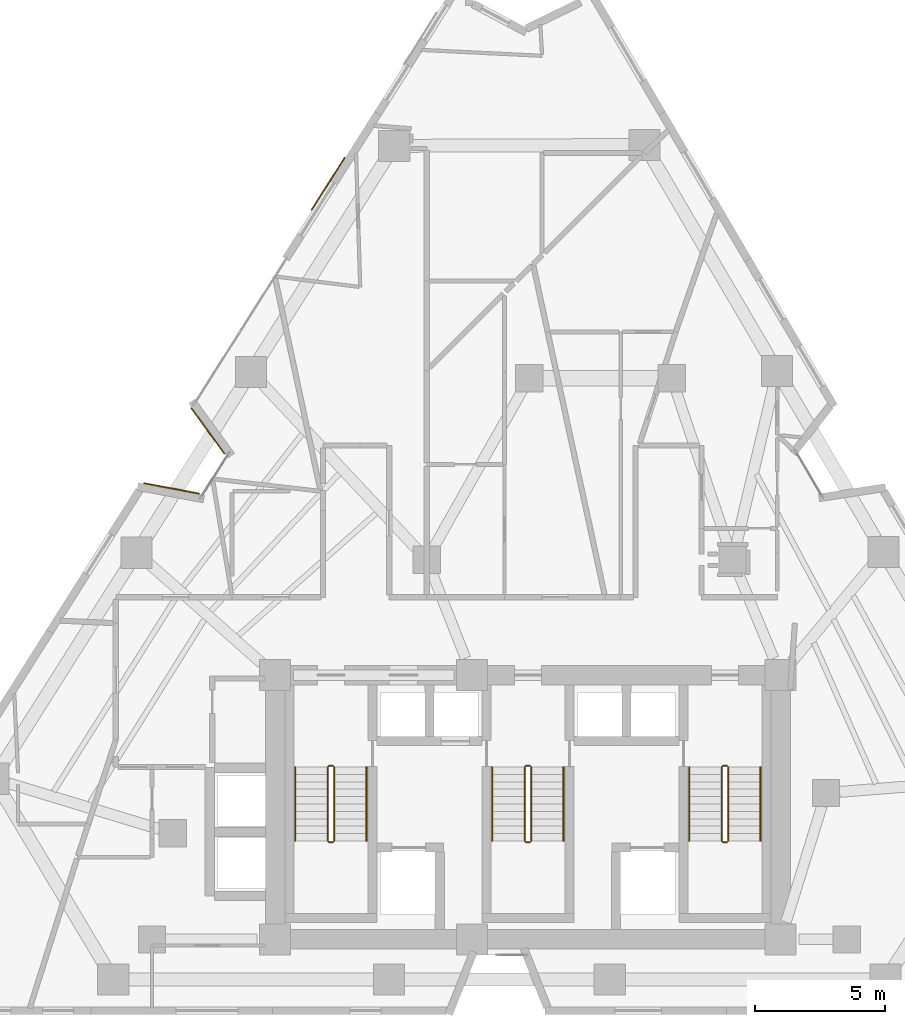
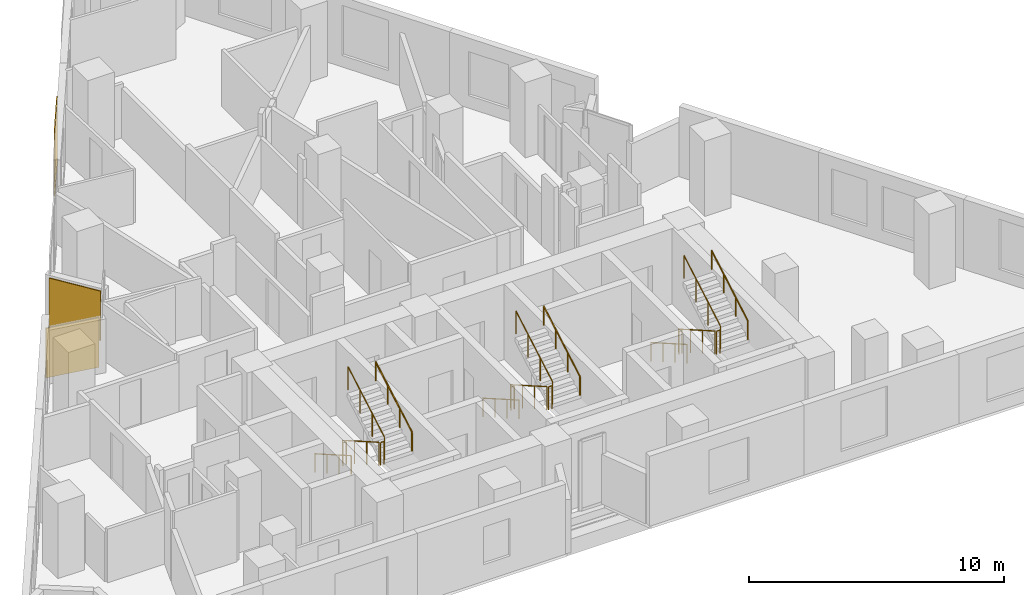
# One storey, part 11 of 12: 18 railings, 3 coverings.
"""IFC4 building model written with IfcOpenShell, lengths in metres."""

import ifcopenshell
import ifcopenshell.guid

model = None  # the IFC model being written
_history = None  # IfcOwnerHistory: only IFC2X3 demands one
_inside = {}  # id of a spatial element -> (the spatial element, [elements in it])
_under = {}  # id of a project, library or spatial element -> (it, [spatial elements below it])
_declared = {}  # id of a project -> (the project, [libraries it declares])
_typed = {}  # id of a type object -> (the type object, [elements of that type])
_made_of = {}  # id of a material, layer set ... -> (it, [elements and type objects made of it])


def new_model(schema):
    """Start an empty IFC model of exactly this schema.

    Asked for "IFC4X3", IfcOpenShell would pick the latest addendum, in which some entities
    have other attributes; the version numbers below select the first issue.
    IFC2X3 requires an IfcOwnerHistory on every rooted entity: one is made here for all.
    """
    global model, _history
    if schema == "IFC4X3":
        model = ifcopenshell.file(schema_version=(4, 3, 0, 0))
    else:
        model = ifcopenshell.file(schema=schema)
    _inside.clear()
    _under.clear()
    _declared.clear()
    _typed.clear()
    _made_of.clear()
    _history = None
    if model.schema == "IFC2X3":
        org = make("IfcOrganization", Name="unknown")
        user = make(
            "IfcPersonAndOrganization",
            ThePerson=make("IfcPerson", FamilyName="unknown"),
            TheOrganization=org,
        )
        app = make(
            "IfcApplication",
            ApplicationDeveloper=org,
            Version="unknown",
            ApplicationFullName="unknown",
            ApplicationIdentifier="unknown",
        )
        _history = make(
            "IfcOwnerHistory",
            OwningUser=user,
            OwningApplication=app,
            ChangeAction="ADDED",
            CreationDate=0,
        )
    return model


def make(cls, **values):
    """One entity of the class cls with the attributes given. An attribute that is None is left unset."""
    return model.create_entity(
        cls, **{name: value for name, value in values.items() if value is not None}
    )


def rooted(cls, **values):
    """An entity with a GlobalId (a new one), such as an element, a storey or a relation."""
    return make(cls, GlobalId=ifcopenshell.guid.new(), OwnerHistory=_history, **values)


def si_unit(unit_type, name, prefix=None):
    """IfcSIUnit, for example si_unit("LENGTHUNIT", "METRE", prefix="MILLI")."""
    return make("IfcSIUnit", UnitType=unit_type, Prefix=prefix, Name=name)


def assignment(units):
    """IfcUnitAssignment: the units of a project."""
    return None if units is None else make("IfcUnitAssignment", Units=units)


def point(xyz):
    """IfcCartesianPoint."""
    return None if xyz is None else make("IfcCartesianPoint", Coordinates=xyz)


def direction(xyz):
    """IfcDirection."""
    return None if xyz is None else make("IfcDirection", DirectionRatios=xyz)


def frame(location, z_axis=None, x_axis=None):
    """IfcAxis2Placement3D, a coordinate frame: its origin and axes. An axis left out is left unset."""
    return make(
        "IfcAxis2Placement3D",
        Location=point(location),
        Axis=direction(z_axis),
        RefDirection=direction(x_axis),
    )


def frame_2d(location, x_axis=None):
    """IfcAxis2Placement2D, a coordinate frame in the plane: its origin and x axis."""
    return make(
        "IfcAxis2Placement2D", Location=point(location), RefDirection=direction(x_axis)
    )


def origin():
    """The frame at (0, 0, 0) with its axes left unset."""
    return frame((0.0, 0.0, 0.0))


def origin_2d():
    """The frame at (0, 0) in the plane with its x axis left unset."""
    return frame_2d((0.0, 0.0))


def place(relative_to, where):
    """IfcLocalPlacement: puts the frame where relative to a parent placement (None: the world)."""
    return make(
        "IfcLocalPlacement", PlacementRelTo=relative_to, RelativePlacement=where
    )


def context(
    kind, dimensions, precision=None, world=None, true_north=None, identifier=None
):
    """IfcGeometricRepresentationContext, for example the 3D "Model" context."""
    return make(
        "IfcGeometricRepresentationContext",
        ContextIdentifier=identifier,
        ContextType=kind,
        CoordinateSpaceDimension=dimensions,
        Precision=precision,
        WorldCoordinateSystem=world,
        TrueNorth=true_north,
    )


def subcontext(parent, identifier, kind, view, scale=None):
    """IfcGeometricRepresentationSubContext, for example "Body" below "Model"."""
    return make(
        "IfcGeometricRepresentationSubContext",
        ContextIdentifier=identifier,
        ContextType=kind,
        ParentContext=parent,
        TargetScale=scale,
        TargetView=view,
    )


def project(units=None, contexts=None):
    """IfcProject with its units and contexts."""
    return rooted(
        "IfcProject",
        Name="project",
        RepresentationContexts=contexts,
        UnitsInContext=assignment(units),
    )


def spatial(cls, under=None, at=None, **own):
    """A site, building, storey or space (cls), placed at a placement, below another one or the project."""
    s = rooted(cls, ObjectPlacement=at, **own)
    if under is not None:
        _under.setdefault(under.id(), (under, []))[1].append(s)
    return s


def profile(cls, at=None, kind="AREA", **sizes):
    """A parametric profile (cls). Its sizes go by their IFC names, for example OverallWidth=200.0."""
    return make(cls, ProfileType=kind, Position=at, **sizes)


def rectangle(**sizes):
    """IfcRectangleProfileDef."""
    return profile("IfcRectangleProfileDef", **sizes)


def circle(**sizes):
    """IfcCircleProfileDef."""
    return profile("IfcCircleProfileDef", **sizes)


def extrude(swept, where, along, depth):
    """IfcExtrudedAreaSolid: the profile swept, set in the frame where, extruded along a direction by depth."""
    return make(
        "IfcExtrudedAreaSolid",
        SweptArea=swept,
        Position=where,
        ExtrudedDirection=direction(along),
        Depth=depth,
    )


def shape(context_of_items, identifier, shape_type, items):
    """IfcShapeRepresentation: the items that make up one representation, for example the "Body"."""
    return make(
        "IfcShapeRepresentation",
        ContextOfItems=context_of_items,
        RepresentationIdentifier=identifier,
        RepresentationType=shape_type,
        Items=items,
    )


def material(Name=None, Category=None):
    """IfcMaterial."""
    return make("IfcMaterial", Name=Name, Category=Category)


def layer(
    of_material, thickness, ventilated=None, Name=None, Category=None, Priority=None
):
    """IfcMaterialLayer: one layer of a wall or slab, of a material (None: an air gap)."""
    return make(
        "IfcMaterialLayer",
        Material=of_material,
        LayerThickness=thickness,
        IsVentilated=ventilated,
        Name=Name,
        Category=Category,
        Priority=Priority,
    )


def layer_set(layers, Name=None):
    """IfcMaterialLayerSet."""
    return make("IfcMaterialLayerSet", MaterialLayers=layers, LayerSetName=Name)


def made_of(thing, what):
    """Note that an element or type object is made of a material, layer set ...; save() writes the relation."""
    if what is not None:
        _made_of.setdefault(what.id(), (what, []))[1].append(thing)
    return thing


def type_object(cls, material=None, **own):
    """A type object (cls), such as IfcWallType, which elements share."""
    return made_of(rooted(cls, **own), material)


def element(
    cls,
    number,
    at=None,
    inside=None,
    cuts=None,
    type_object=None,
    material=None,
    context=None,
    identifier="Body",
    shape_type=None,
    held_by="IfcProductDefinitionShape",
    body=None,
    shapes=None,
    **own,
):
    """One element of the class cls, such as IfcWall. Its Tag is "e" and its number.

    at: its placement. inside: the storey or other place that contains it. cuts: it is an
    opening in that element (IfcRelVoidsElement). A single representation is given by context,
    identifier, shape_type and body (its items); several are given by shapes. held_by: the class
    of the entity that holds the representations. save() writes the other relations.
    """
    e = rooted(cls, Tag="e%d" % number, ObjectPlacement=at, **own)
    if body is not None:
        shapes = [shape(context, identifier, shape_type, body)]
    if shapes is not None:
        e.Representation = make(held_by, Representations=shapes)
    if inside is not None:
        _inside.setdefault(inside.id(), (inside, []))[1].append(e)
    if cuts is not None:
        rooted(
            "IfcRelVoidsElement", RelatingBuildingElement=cuts, RelatedOpeningElement=e
        )
    if type_object is not None:
        _typed.setdefault(type_object.id(), (type_object, []))[1].append(e)
    return made_of(e, material)


def aggregate(whole, parts):
    """IfcRelAggregates: a whole, such as a stair, and the parts it consists of."""
    return rooted("IfcRelAggregates", RelatingObject=whole, RelatedObjects=parts)


def save(model, path):
    """Write the relations noted so far, then the file.

    IfcRelAggregates (storeys below a building ...), IfcRelContainedInSpatialStructure (elements
    in a storey), IfcRelDefinesByType, IfcRelAssociatesMaterial and IfcRelDeclares: one each for
    every whole, place, type object, material and project.
    """
    for whole, parts in _under.values():
        aggregate(whole, parts)
    for where, things in _inside.values():
        rooted(
            "IfcRelContainedInSpatialStructure",
            RelatedElements=things,
            RelatingStructure=where,
        )
    for kind, things in _typed.values():
        rooted("IfcRelDefinesByType", RelatedObjects=things, RelatingType=kind)
    for what, things in _made_of.values():
        rooted("IfcRelAssociatesMaterial", RelatedObjects=things, RelatingMaterial=what)
    for by, libraries in _declared.values():
        rooted("IfcRelDeclares", RelatingContext=by, RelatedDefinitions=libraries)
    model.write(path)


model = new_model("IFC4")

# Units and contexts
model_context = context("Model", 3, precision=1e-05, world=origin(), true_north=direction((0.0, 1.0)))
body_context = subcontext(model_context, "Body", "Model", "MODEL_VIEW")
ifc_project = project(units=[si_unit("LENGTHUNIT", "METRE"), si_unit("AREAUNIT", "SQUARE_METRE"), si_unit("VOLUMEUNIT", "CUBIC_METRE"), si_unit("PLANEANGLEUNIT", "RADIAN"), si_unit("MASSUNIT", "GRAM", prefix="KILO")], contexts=[model_context])

# Site, building, storey
site_placement = place(None, origin())
site = spatial("IfcSite", under=ifc_project, at=site_placement, CompositionType="ELEMENT")
building_placement = place(site_placement, origin())
building = spatial("IfcBuilding", under=site, at=building_placement, Name="Almagre Mirador Tower", CompositionType="ELEMENT")
storey_placement = place(building_placement, frame((0.0, 0.0, 110.39990234375)))
storey = spatial("IfcBuildingStorey", under=building, at=storey_placement, Name="L27", CompositionType="ELEMENT", Elevation=110.39990234375)

# Coverings
ifc_material_1 = material(Name="Almagre terracotta architectural cladding", Category="masonry")
ifc_layer = layer(ifc_material_1, 0.044921875)
ifc_layer_set = layer_set([ifc_layer], Name="Almagre terracotta architectural cladding")
covering_type = type_object("IfcCoveringType", Name="COV-CLAD-ALMAGRE", PredefinedType="CLADDING", material=ifc_layer_set)
for number, where, z_axis, x_axis, name in (
    (1, (23.552978515625, 21.950439453125, 0.10009765625), (0.0, 0.0, 1.0), (0.982745405197, -0.184963424938, 0.0), "L27 almagre terracotta pier cladding"),
    (2, (24.956298828125, 24.16748046875, 0.10009765625), (0.0, 0.0, 1.0), (-0.587757011914, 0.809037511458, 0.0), "L27 almagre terracotta pier cladding"),
):
    element("IfcCovering", number, at=place(storey_placement, frame(where, z_axis=z_axis, x_axis=x_axis)), inside=storey, type_object=covering_type, Name=name, PredefinedType="CLADDING", context=body_context, shape_type="SweptSolid", body=[
        extrude(rectangle(XDim=2.194091796875, YDim=0.044921875, at=origin_2d()), origin(), (0.0, 0.0, 1.0), 2.375),
    ])
covering_placement = place(storey_placement, frame((29.5927734375, 33.704833984375, 0.10009765625), z_axis=(0.0, 0.0, 1.0), x_axis=(0.534898084209, 0.844916587309, 0.0)))
element("IfcCovering", 3, at=covering_placement, inside=storey, type_object=covering_type, Name="L27 almagre terracotta pier cladding", PredefinedType="CLADDING", context=body_context, shape_type="SweptSolid", body=[
    extrude(rectangle(XDim=2.39990234375, YDim=0.044921875, at=origin_2d()), origin(), (0.0, 0.0, 1.0), 3.14990234375),
])

# Railings
ifc_material_2 = material(Name="Painted galvanized steel", Category="steel")
railing_type_1 = type_object("IfcRailingType", Name="RLG-GRD-1100", PredefinedType="GUARDRAIL", material=ifc_material_2)
railing_1_placement = place(storey_placement, frame((29.574951171875, 11.199951171875, 0.163818359375)))
element("IfcRailing", 4, at=railing_1_placement, inside=storey, type_object=railing_type_1, Name="L27 ST-1 stair guard 1", PredefinedType="GUARDRAIL", context=body_context, shape_type="SweptSolid", body=[
    extrude(circle(Radius=0.02392578125, at=origin_2d()), frame((0.0, 0.0, 1.09619140625), z_axis=(0.0, -0.867226363773, 0.497914082927), x_axis=(1.0, 0.0, 0.0)), (0.0, 0.0, 1.0), 3.2861328125),
    extrude(circle(Radius=0.02099609375, at=origin_2d()), origin(), (0.0, 0.0, 1.0), 1.072021484375),
    extrude(circle(Radius=0.02099609375, at=origin_2d()), frame((0.0, -0.949951171875, 0.54541015625)), (0.0, 0.0, 1.0), 1.072021484375),
    extrude(circle(Radius=0.02099609375, at=origin_2d()), frame((0.0, -1.89990234375, 1.0908203125)), (0.0, 0.0, 1.0), 1.072021484375),
    extrude(circle(Radius=0.02099609375, at=origin_2d()), frame((0.0, -2.849853515625, 1.63623046875)), (0.0, 0.0, 1.0), 1.072021484375),
])
railing_2_placement = place(storey_placement, frame((29.625, 8.300048828125, 1.800048828125)))
element("IfcRailing", 5, at=railing_2_placement, inside=storey, type_object=railing_type_1, Name="L27 ST-1 stair guard 2", PredefinedType="GUARDRAIL", context=body_context, shape_type="SweptSolid", body=[
    extrude(circle(Radius=0.02392578125, at=origin_2d()), frame((0.0, 0.0, 1.09619140625), z_axis=(1.0, 0.0, 0.0), x_axis=(0.0, 1.0, 0.0)), (0.0, 0.0, 1.0), 0.14990234375),
    extrude(circle(Radius=0.02099609375, at=origin_2d()), origin(), (0.0, 0.0, 1.0), 1.072021484375),
    extrude(circle(Radius=0.02099609375, at=origin_2d()), frame((0.14990234375, 0.0, 0.0)), (0.0, 0.0, 1.0), 1.072021484375),
])
railing_3_placement = place(storey_placement, frame((29.824951171875, 8.35009765625, 1.963623046875)))
element("IfcRailing", 6, at=railing_3_placement, inside=storey, type_object=railing_type_1, Name="L27 ST-1 stair guard 3", PredefinedType="GUARDRAIL", context=body_context, shape_type="SweptSolid", body=[
    extrude(circle(Radius=0.02392578125, at=origin_2d()), frame((0.0, 0.0, 1.09619140625), z_axis=(0.0, 0.867194282975, 0.497969954491), x_axis=(-1.0, 0.0, 0.0)), (0.0, 0.0, 1.0), 3.286376953125),
    extrude(circle(Radius=0.02099609375, at=origin_2d()), origin(), (0.0, 0.0, 1.0), 1.072021484375),
    extrude(circle(Radius=0.02099609375, at=origin_2d()), frame((0.0, 0.949951171875, 0.54541015625)), (0.0, 0.0, 1.0), 1.072021484375),
    extrude(circle(Radius=0.02099609375, at=origin_2d()), frame((0.0, 1.89990234375, 1.091064453125)), (0.0, 0.0, 1.0), 1.072021484375),
    extrude(circle(Radius=0.02099609375, at=origin_2d()), frame((0.0, 2.849853515625, 1.636474609375)), (0.0, 0.0, 1.0), 1.072021484375),
])
railing_4_placement = place(storey_placement, frame((29.625, 11.25, 0.0)))
element("IfcRailing", 7, at=railing_4_placement, inside=storey, type_object=railing_type_1, Name="L27 ST-1 stair guard 4", PredefinedType="GUARDRAIL", context=body_context, shape_type="SweptSolid", body=[
    extrude(circle(Radius=0.02392578125, at=origin_2d()), frame((0.0, 0.0, 1.09619140625), z_axis=(1.0, 0.0, 0.0), x_axis=(0.0, 1.0, 0.0)), (0.0, 0.0, 1.0), 0.14990234375),
    extrude(circle(Radius=0.02099609375, at=origin_2d()), origin(), (0.0, 0.0, 1.0), 1.072021484375),
    extrude(circle(Radius=0.02099609375, at=origin_2d()), frame((0.14990234375, 0.0, 0.0)), (0.0, 0.0, 1.0), 1.072021484375),
])
railing_5_placement = place(storey_placement, frame((37.175048828125, 11.199951171875, 0.163818359375)))
element("IfcRailing", 8, at=railing_5_placement, inside=storey, type_object=railing_type_1, Name="L27 ST-2 stair guard 1", PredefinedType="GUARDRAIL", context=body_context, shape_type="SweptSolid", body=[
    extrude(circle(Radius=0.02392578125, at=origin_2d()), frame((0.0, 0.0, 1.09619140625), z_axis=(0.0, -0.867226363773, 0.497914082927), x_axis=(1.0, 0.0, 0.0)), (0.0, 0.0, 1.0), 3.2861328125),
    extrude(circle(Radius=0.02099609375, at=origin_2d()), origin(), (0.0, 0.0, 1.0), 1.072021484375),
    extrude(circle(Radius=0.02099609375, at=origin_2d()), frame((0.0, -0.949951171875, 0.54541015625)), (0.0, 0.0, 1.0), 1.072021484375),
    extrude(circle(Radius=0.02099609375, at=origin_2d()), frame((0.0, -1.89990234375, 1.0908203125)), (0.0, 0.0, 1.0), 1.072021484375),
    extrude(circle(Radius=0.02099609375, at=origin_2d()), frame((0.0, -2.849853515625, 1.63623046875)), (0.0, 0.0, 1.0), 1.072021484375),
])
railing_6_placement = place(storey_placement, frame((37.22509765625, 8.300048828125, 1.800048828125)))
element("IfcRailing", 9, at=railing_6_placement, inside=storey, type_object=railing_type_1, Name="L27 ST-2 stair guard 2", PredefinedType="GUARDRAIL", context=body_context, shape_type="SweptSolid", body=[
    extrude(circle(Radius=0.02392578125, at=origin_2d()), frame((0.0, 0.0, 1.09619140625), z_axis=(1.0, 0.0, 0.0), x_axis=(0.0, 1.0, 0.0)), (0.0, 0.0, 1.0), 0.14990234375),
    extrude(circle(Radius=0.02099609375, at=origin_2d()), origin(), (0.0, 0.0, 1.0), 1.072021484375),
    extrude(circle(Radius=0.02099609375, at=origin_2d()), frame((0.14990234375, 0.0, 0.0)), (0.0, 0.0, 1.0), 1.072021484375),
])
railing_7_placement = place(storey_placement, frame((37.425048828125, 8.35009765625, 1.963623046875)))
element("IfcRailing", 10, at=railing_7_placement, inside=storey, type_object=railing_type_1, Name="L27 ST-2 stair guard 3", PredefinedType="GUARDRAIL", context=body_context, shape_type="SweptSolid", body=[
    extrude(circle(Radius=0.02392578125, at=origin_2d()), frame((0.0, 0.0, 1.09619140625), z_axis=(0.0, 0.867194282975, 0.497969954491), x_axis=(-1.0, 0.0, 0.0)), (0.0, 0.0, 1.0), 3.286376953125),
    extrude(circle(Radius=0.02099609375, at=origin_2d()), origin(), (0.0, 0.0, 1.0), 1.072021484375),
    extrude(circle(Radius=0.02099609375, at=origin_2d()), frame((0.0, 0.949951171875, 0.54541015625)), (0.0, 0.0, 1.0), 1.072021484375),
    extrude(circle(Radius=0.02099609375, at=origin_2d()), frame((0.0, 1.89990234375, 1.091064453125)), (0.0, 0.0, 1.0), 1.072021484375),
    extrude(circle(Radius=0.02099609375, at=origin_2d()), frame((0.0, 2.849853515625, 1.636474609375)), (0.0, 0.0, 1.0), 1.072021484375),
])
railing_8_placement = place(storey_placement, frame((37.22509765625, 11.25, 0.0)))
element("IfcRailing", 11, at=railing_8_placement, inside=storey, type_object=railing_type_1, Name="L27 ST-2 stair guard 4", PredefinedType="GUARDRAIL", context=body_context, shape_type="SweptSolid", body=[
    extrude(circle(Radius=0.02392578125, at=origin_2d()), frame((0.0, 0.0, 1.09619140625), z_axis=(1.0, 0.0, 0.0), x_axis=(0.0, 1.0, 0.0)), (0.0, 0.0, 1.0), 0.14990234375),
    extrude(circle(Radius=0.02099609375, at=origin_2d()), origin(), (0.0, 0.0, 1.0), 1.072021484375),
    extrude(circle(Radius=0.02099609375, at=origin_2d()), frame((0.14990234375, 0.0, 0.0)), (0.0, 0.0, 1.0), 1.072021484375),
])
railing_9_placement = place(storey_placement, frame((44.77490234375, 11.199951171875, 0.163818359375)))
element("IfcRailing", 12, at=railing_9_placement, inside=storey, type_object=railing_type_1, Name="L27 ST-3 stair guard 1", PredefinedType="GUARDRAIL", context=body_context, shape_type="SweptSolid", body=[
    extrude(circle(Radius=0.02392578125, at=origin_2d()), frame((0.0, 0.0, 1.09619140625), z_axis=(0.0, -0.867226363773, 0.497914082927), x_axis=(1.0, 0.0, 0.0)), (0.0, 0.0, 1.0), 3.2861328125),
    extrude(circle(Radius=0.02099609375, at=origin_2d()), origin(), (0.0, 0.0, 1.0), 1.072021484375),
    extrude(circle(Radius=0.02099609375, at=origin_2d()), frame((0.0, -0.949951171875, 0.54541015625)), (0.0, 0.0, 1.0), 1.072021484375),
    extrude(circle(Radius=0.02099609375, at=origin_2d()), frame((0.0, -1.89990234375, 1.0908203125)), (0.0, 0.0, 1.0), 1.072021484375),
    extrude(circle(Radius=0.02099609375, at=origin_2d()), frame((0.0, -2.849853515625, 1.63623046875)), (0.0, 0.0, 1.0), 1.072021484375),
])
railing_10_placement = place(storey_placement, frame((44.824951171875, 8.300048828125, 1.800048828125)))
element("IfcRailing", 13, at=railing_10_placement, inside=storey, type_object=railing_type_1, Name="L27 ST-3 stair guard 2", PredefinedType="GUARDRAIL", context=body_context, shape_type="SweptSolid", body=[
    extrude(circle(Radius=0.02392578125, at=origin_2d()), frame((0.0, 0.0, 1.09619140625), z_axis=(1.0, 0.0, 0.0), x_axis=(0.0, 1.0, 0.0)), (0.0, 0.0, 1.0), 0.150146484375),
    extrude(circle(Radius=0.02099609375, at=origin_2d()), origin(), (0.0, 0.0, 1.0), 1.072021484375),
    extrude(circle(Radius=0.02099609375, at=origin_2d()), frame((0.150146484375, 0.0, 0.0)), (0.0, 0.0, 1.0), 1.072021484375),
])
railing_11_placement = place(storey_placement, frame((45.02490234375, 8.35009765625, 1.963623046875)))
element("IfcRailing", 14, at=railing_11_placement, inside=storey, type_object=railing_type_1, Name="L27 ST-3 stair guard 3", PredefinedType="GUARDRAIL", context=body_context, shape_type="SweptSolid", body=[
    extrude(circle(Radius=0.02392578125, at=origin_2d()), frame((0.0, 0.0, 1.09619140625), z_axis=(0.0, 0.867194282975, 0.497969954491), x_axis=(-1.0, 0.0, 0.0)), (0.0, 0.0, 1.0), 3.286376953125),
    extrude(circle(Radius=0.02099609375, at=origin_2d()), origin(), (0.0, 0.0, 1.0), 1.072021484375),
    extrude(circle(Radius=0.02099609375, at=origin_2d()), frame((0.0, 0.949951171875, 0.54541015625)), (0.0, 0.0, 1.0), 1.072021484375),
    extrude(circle(Radius=0.02099609375, at=origin_2d()), frame((0.0, 1.89990234375, 1.091064453125)), (0.0, 0.0, 1.0), 1.072021484375),
    extrude(circle(Radius=0.02099609375, at=origin_2d()), frame((0.0, 2.849853515625, 1.636474609375)), (0.0, 0.0, 1.0), 1.072021484375),
])
railing_12_placement = place(storey_placement, frame((44.824951171875, 11.25, 0.0)))
element("IfcRailing", 15, at=railing_12_placement, inside=storey, type_object=railing_type_1, Name="L27 ST-3 stair guard 4", PredefinedType="GUARDRAIL", context=body_context, shape_type="SweptSolid", body=[
    extrude(circle(Radius=0.02392578125, at=origin_2d()), frame((0.0, 0.0, 1.09619140625), z_axis=(1.0, 0.0, 0.0), x_axis=(0.0, 1.0, 0.0)), (0.0, 0.0, 1.0), 0.150146484375),
    extrude(circle(Radius=0.02099609375, at=origin_2d()), origin(), (0.0, 0.0, 1.0), 1.072021484375),
    extrude(circle(Radius=0.02099609375, at=origin_2d()), frame((0.150146484375, 0.0, 0.0)), (0.0, 0.0, 1.0), 1.072021484375),
])
ifc_material_3 = material(Name="Brushed stainless steel", Category="steel")
railing_type_2 = type_object("IfcRailingType", Name="RLG-HND-915", PredefinedType="HANDRAIL", material=ifc_material_3)
railing_13_placement = place(storey_placement, frame((28.324951171875, 11.199951171875, 0.163818359375)))
element("IfcRailing", 16, at=railing_13_placement, inside=storey, type_object=railing_type_2, Name="L27 ST-1 stair handrail 1", PredefinedType="HANDRAIL", context=body_context, shape_type="SweptSolid", body=[
    extrude(circle(Radius=0.02392578125, at=origin_2d()), frame((0.0, 0.0, 0.89111328125), z_axis=(0.0, -0.867226363773, 0.497914082927), x_axis=(1.0, 0.0, 0.0)), (0.0, 0.0, 1.0), 3.2861328125),
    extrude(circle(Radius=0.02099609375, at=origin_2d()), origin(), (0.0, 0.0, 1.0), 0.866943359375),
    extrude(circle(Radius=0.02099609375, at=origin_2d()), frame((0.0, -0.949951171875, 0.54541015625)), (0.0, 0.0, 1.0), 0.866943359375),
    extrude(circle(Radius=0.02099609375, at=origin_2d()), frame((0.0, -1.89990234375, 1.0908203125)), (0.0, 0.0, 1.0), 0.866943359375),
    extrude(circle(Radius=0.02099609375, at=origin_2d()), frame((0.0, -2.849853515625, 1.63623046875)), (0.0, 0.0, 1.0), 0.866943359375),
])
railing_14_placement = place(storey_placement, frame((31.074951171875, 8.35009765625, 1.963623046875)))
element("IfcRailing", 17, at=railing_14_placement, inside=storey, type_object=railing_type_2, Name="L27 ST-1 stair handrail 2", PredefinedType="HANDRAIL", context=body_context, shape_type="SweptSolid", body=[
    extrude(circle(Radius=0.02392578125, at=origin_2d()), frame((0.0, 0.0, 0.89111328125), z_axis=(0.0, 0.867194282975, 0.497969954491), x_axis=(-1.0, 0.0, 0.0)), (0.0, 0.0, 1.0), 3.286376953125),
    extrude(circle(Radius=0.02099609375, at=origin_2d()), origin(), (0.0, 0.0, 1.0), 0.866943359375),
    extrude(circle(Radius=0.02099609375, at=origin_2d()), frame((0.0, 0.949951171875, 0.54541015625)), (0.0, 0.0, 1.0), 0.866943359375),
    extrude(circle(Radius=0.02099609375, at=origin_2d()), frame((0.0, 1.89990234375, 1.091064453125)), (0.0, 0.0, 1.0), 0.866943359375),
    extrude(circle(Radius=0.02099609375, at=origin_2d()), frame((0.0, 2.849853515625, 1.636474609375)), (0.0, 0.0, 1.0), 0.866943359375),
])
railing_15_placement = place(storey_placement, frame((35.925048828125, 11.199951171875, 0.163818359375)))
element("IfcRailing", 18, at=railing_15_placement, inside=storey, type_object=railing_type_2, Name="L27 ST-2 stair handrail 1", PredefinedType="HANDRAIL", context=body_context, shape_type="SweptSolid", body=[
    extrude(circle(Radius=0.02392578125, at=origin_2d()), frame((0.0, 0.0, 0.89111328125), z_axis=(0.0, -0.867226363773, 0.497914082927), x_axis=(1.0, 0.0, 0.0)), (0.0, 0.0, 1.0), 3.2861328125),
    extrude(circle(Radius=0.02099609375, at=origin_2d()), origin(), (0.0, 0.0, 1.0), 0.866943359375),
    extrude(circle(Radius=0.02099609375, at=origin_2d()), frame((0.0, -0.949951171875, 0.54541015625)), (0.0, 0.0, 1.0), 0.866943359375),
    extrude(circle(Radius=0.02099609375, at=origin_2d()), frame((0.0, -1.89990234375, 1.0908203125)), (0.0, 0.0, 1.0), 0.866943359375),
    extrude(circle(Radius=0.02099609375, at=origin_2d()), frame((0.0, -2.849853515625, 1.63623046875)), (0.0, 0.0, 1.0), 0.866943359375),
])
railing_16_placement = place(storey_placement, frame((38.675048828125, 8.35009765625, 1.963623046875)))
element("IfcRailing", 19, at=railing_16_placement, inside=storey, type_object=railing_type_2, Name="L27 ST-2 stair handrail 2", PredefinedType="HANDRAIL", context=body_context, shape_type="SweptSolid", body=[
    extrude(circle(Radius=0.02392578125, at=origin_2d()), frame((0.0, 0.0, 0.89111328125), z_axis=(0.0, 0.867194282975, 0.497969954491), x_axis=(-1.0, 0.0, 0.0)), (0.0, 0.0, 1.0), 3.286376953125),
    extrude(circle(Radius=0.02099609375, at=origin_2d()), origin(), (0.0, 0.0, 1.0), 0.866943359375),
    extrude(circle(Radius=0.02099609375, at=origin_2d()), frame((0.0, 0.949951171875, 0.54541015625)), (0.0, 0.0, 1.0), 0.866943359375),
    extrude(circle(Radius=0.02099609375, at=origin_2d()), frame((0.0, 1.89990234375, 1.091064453125)), (0.0, 0.0, 1.0), 0.866943359375),
    extrude(circle(Radius=0.02099609375, at=origin_2d()), frame((0.0, 2.849853515625, 1.636474609375)), (0.0, 0.0, 1.0), 0.866943359375),
])
railing_17_placement = place(storey_placement, frame((43.52490234375, 11.199951171875, 0.163818359375)))
element("IfcRailing", 20, at=railing_17_placement, inside=storey, type_object=railing_type_2, Name="L27 ST-3 stair handrail 1", PredefinedType="HANDRAIL", context=body_context, shape_type="SweptSolid", body=[
    extrude(circle(Radius=0.02392578125, at=origin_2d()), frame((0.0, 0.0, 0.89111328125), z_axis=(0.0, -0.867226363773, 0.497914082927), x_axis=(1.0, 0.0, 0.0)), (0.0, 0.0, 1.0), 3.2861328125),
    extrude(circle(Radius=0.02099609375, at=origin_2d()), origin(), (0.0, 0.0, 1.0), 0.866943359375),
    extrude(circle(Radius=0.02099609375, at=origin_2d()), frame((0.0, -0.949951171875, 0.54541015625)), (0.0, 0.0, 1.0), 0.866943359375),
    extrude(circle(Radius=0.02099609375, at=origin_2d()), frame((0.0, -1.89990234375, 1.0908203125)), (0.0, 0.0, 1.0), 0.866943359375),
    extrude(circle(Radius=0.02099609375, at=origin_2d()), frame((0.0, -2.849853515625, 1.63623046875)), (0.0, 0.0, 1.0), 0.866943359375),
])
railing_18_placement = place(storey_placement, frame((46.27490234375, 8.35009765625, 1.963623046875)))
element("IfcRailing", 21, at=railing_18_placement, inside=storey, type_object=railing_type_2, Name="L27 ST-3 stair handrail 2", PredefinedType="HANDRAIL", context=body_context, shape_type="SweptSolid", body=[
    extrude(circle(Radius=0.02392578125, at=origin_2d()), frame((0.0, 0.0, 0.89111328125), z_axis=(0.0, 0.867194282975, 0.497969954491), x_axis=(-1.0, 0.0, 0.0)), (0.0, 0.0, 1.0), 3.286376953125),
    extrude(circle(Radius=0.02099609375, at=origin_2d()), origin(), (0.0, 0.0, 1.0), 0.866943359375),
    extrude(circle(Radius=0.02099609375, at=origin_2d()), frame((0.0, 0.949951171875, 0.54541015625)), (0.0, 0.0, 1.0), 0.866943359375),
    extrude(circle(Radius=0.02099609375, at=origin_2d()), frame((0.0, 1.89990234375, 1.091064453125)), (0.0, 0.0, 1.0), 0.866943359375),
    extrude(circle(Radius=0.02099609375, at=origin_2d()), frame((0.0, 2.849853515625, 1.636474609375)), (0.0, 0.0, 1.0), 0.866943359375),
])

save(model, "model.ifc")
